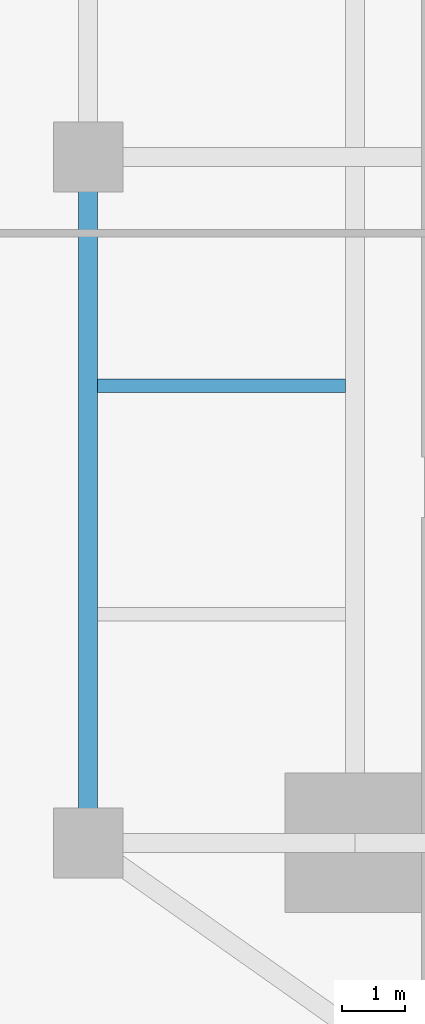
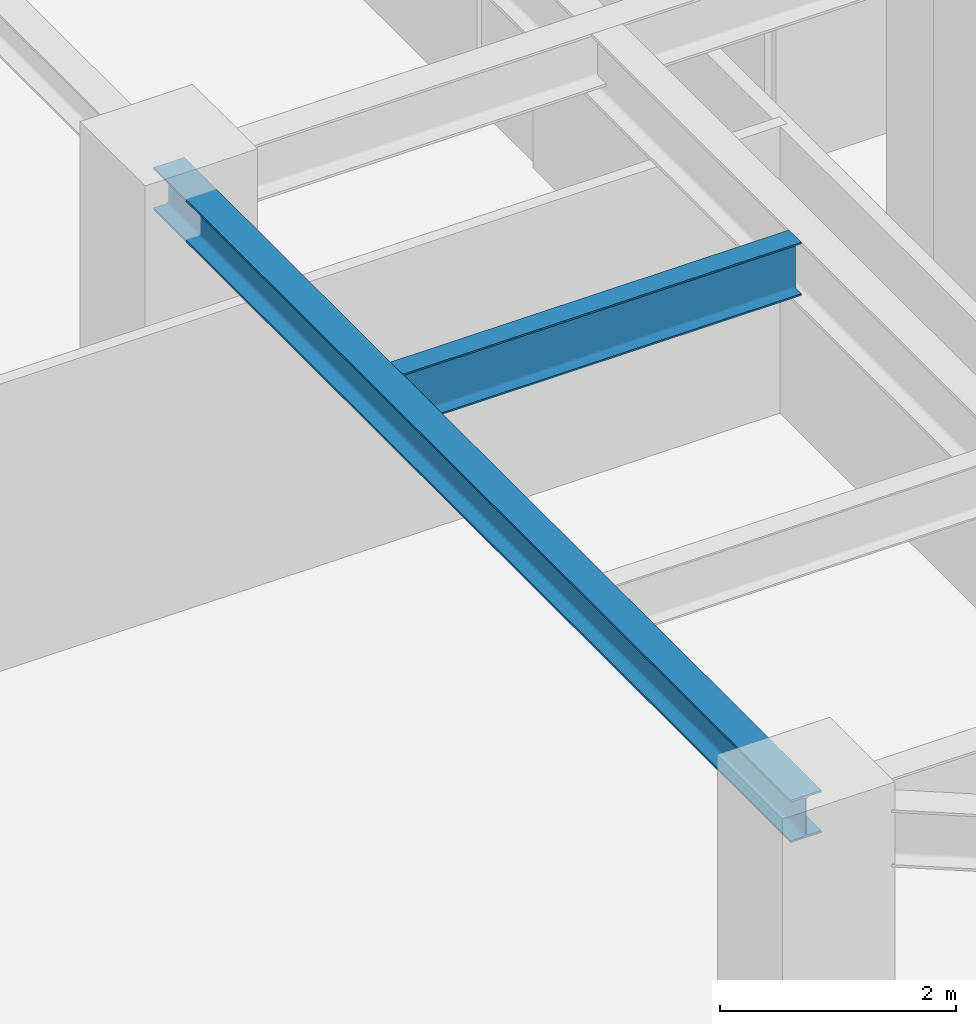
# One storey, part 9 of 30: 2 beams.
"""IFC4 building model written with IfcOpenShell, lengths in metres."""

from ifc_helpers import new_model, si_unit, direction, frame, origin, origin_2d, place, context, subcontext, project, spatial, i_section, extrude, source, transform, mapped, material, material_profile, profile_set, type_object, type_shapes, element, save


model = new_model("IFC4")

# Units and contexts
model_context = context("Model", 3, precision=1e-05, world=origin(), true_north=direction((0.0, 1.0)))
body_context = subcontext(model_context, "Body", "Model", "MODEL_VIEW")
ifc_project = project(units=[si_unit("LENGTHUNIT", "METRE"), si_unit("AREAUNIT", "SQUARE_METRE"), si_unit("VOLUMEUNIT", "CUBIC_METRE"), si_unit("PLANEANGLEUNIT", "RADIAN"), si_unit("MASSUNIT", "GRAM", prefix="KILO")], contexts=[model_context])

# Site, building, storey
site_placement = place(None, origin())
site = spatial("IfcSite", under=ifc_project, at=site_placement, CompositionType="ELEMENT")
building_placement = place(site_placement, origin())
building = spatial("IfcBuilding", under=site, at=building_placement, Name="Krantzveldt Concourse Tower", CompositionType="ELEMENT")
storey_placement = place(building_placement, frame((0.0, 0.0, 40.800048828125)))
storey = spatial("IfcBuildingStorey", under=building, at=storey_placement, Name="L09", CompositionType="ELEMENT", Elevation=40.800048828125)

# Beams
ifc_material = material(Name="Steel S355JR", Category="steel")
ifc_material_profile_1 = material_profile(ifc_material, i_section(OverallWidth=0.300048828125, OverallDepth=0.43994140625, WebThickness=0.011474609375, FlangeThickness=0.02099609375, FilletRadius=0.027099609375, at=origin_2d()), Name="Steel S355JR", Category="steel")
ifc_profile_set_1 = profile_set([ifc_material_profile_1], Name="Steel S355JR - HEA 450")
beam_type_1 = type_object("IfcBeamType", Name="BM-SP-HEA450", PredefinedType="SPANDREL", material=ifc_profile_set_1)
shared_shape_1 = source(origin(), body_context, "Body", "SweptSolid", [
    extrude(i_section(OverallWidth=0.300048828125, OverallDepth=0.43994140625, WebThickness=0.011474609375, FlangeThickness=0.02099609375, FilletRadius=0.027099609375, at=origin_2d()), origin(), (0.0, 0.0, 1.0), 10.800048828125),
])
type_shapes(beam_type_1, [shared_shape_1])
beam_1_placement = place(storey_placement, frame((21.0, 15.89990234375, 3.449951171875), z_axis=(0.0, 1.0, 0.0), x_axis=(-1.0, 0.0, 0.0)))
element("IfcBeam", 1, at=beam_1_placement, inside=storey, type_object=beam_type_1, Name="L09 Tower Girder SP-R01", PredefinedType="SPANDREL", context=body_context, shape_type="MappedRepresentation", body=[
    mapped(shared_shape_1, transform((0.0, 0.0, 0.0), x_axis=(1.0, 0.0, 0.0), y_axis=(0.0, 1.0, 0.0), z_axis=(0.0, 0.0, 1.0), scale=1.0)),
])
ifc_material_profile_2 = material_profile(ifc_material, i_section(OverallWidth=0.2099609375, OverallDepth=0.550048828125, WebThickness=0.010986328125, FlangeThickness=0.01708984375, FilletRadius=0.02392578125, at=origin_2d()), Name="Steel S355JR", Category="steel")
ifc_profile_set_2 = profile_set([ifc_material_profile_2], Name="Steel S355JR - IPE 550")
beam_type_2 = type_object("IfcBeamType", Name="BM-J-IPE550", PredefinedType="JOIST", material=ifc_profile_set_2)
shared_shape_2 = source(origin(), body_context, "Body", "SweptSolid", [
    extrude(i_section(OverallWidth=0.2099609375, OverallDepth=0.550048828125, WebThickness=0.010986328125, FlangeThickness=0.01708984375, FilletRadius=0.02392578125, at=origin_2d()), origin(), (0.0, 0.0, 1.0), 3.900146484375),
])
type_shapes(beam_type_2, [shared_shape_2])
beam_2_placement = place(storey_placement, frame((21.14990234375, 23.10009765625, 3.39501953125), z_axis=(1.0, 0.0, 0.0), x_axis=(0.0, 1.0, 0.0)))
element("IfcBeam", 2, at=beam_2_placement, inside=storey, type_object=beam_type_2, Name="L09 Secondary Floor Joist JW-2", PredefinedType="JOIST", context=body_context, shape_type="MappedRepresentation", body=[
    mapped(shared_shape_2, transform((0.0, 0.0, 0.0), x_axis=(1.0, 0.0, 0.0), y_axis=(0.0, 1.0, 0.0), z_axis=(0.0, 0.0, 1.0), scale=1.0)),
])

save(model, "model.ifc")
